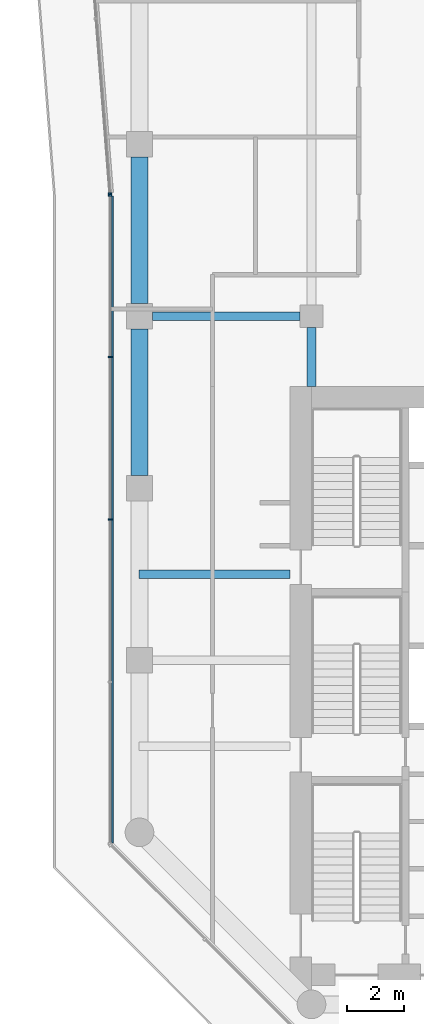
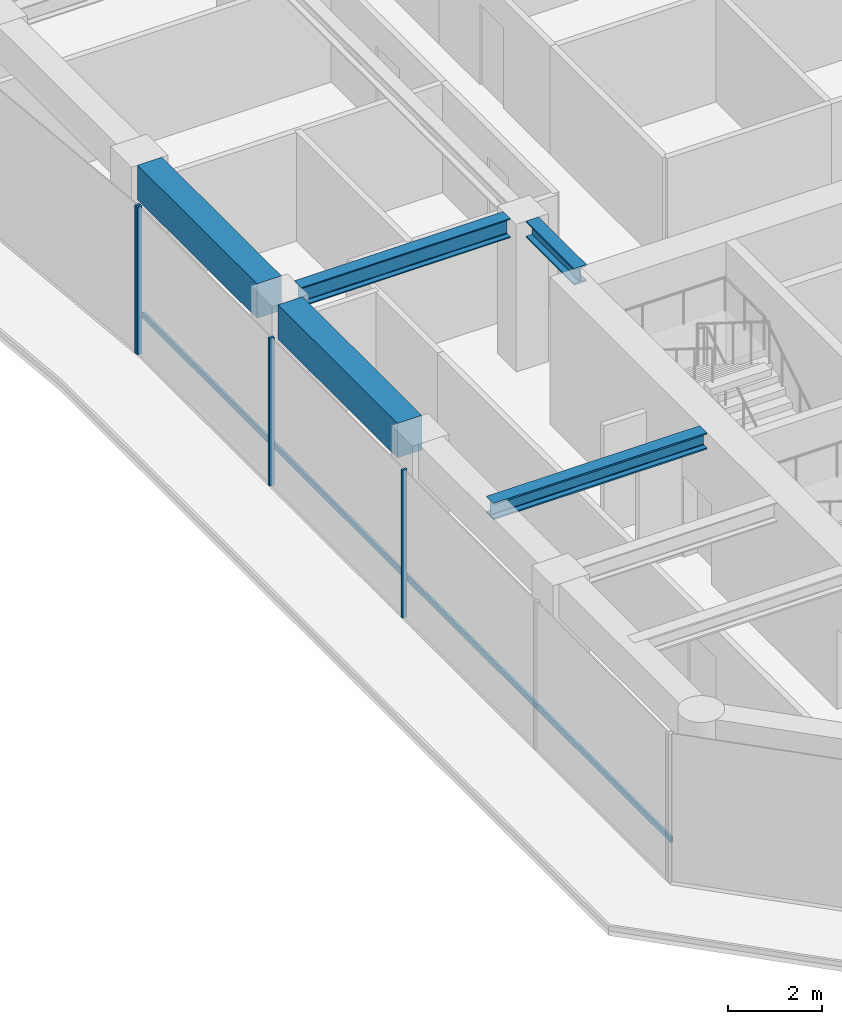
# One storey, part 4 of 25: 5 beams, 5 members, 2 elements without a shape of their own.
"""IFC4 building model written with IfcOpenShell, lengths in metres."""

from ifc_helpers import new_model, si_unit, direction, frame, origin, origin_2d, place, context, subcontext, project, spatial, rectangle, i_section, extrude, material, layer, layer_set, material_profile, profile_set, type_object, element, aggregate, save


model = new_model("IFC4")

# Units and contexts
model_context = context("Model", 3, precision=1e-05, world=origin(), true_north=direction((0.0, 1.0)))
body_context = subcontext(model_context, "Body", "Model", "MODEL_VIEW")
ifc_project = project(units=[si_unit("LENGTHUNIT", "METRE"), si_unit("AREAUNIT", "SQUARE_METRE"), si_unit("VOLUMEUNIT", "CUBIC_METRE"), si_unit("PLANEANGLEUNIT", "RADIAN"), si_unit("MASSUNIT", "GRAM", prefix="KILO")], contexts=[model_context])

# Site, building, storey
site_placement = place(None, origin())
site = spatial("IfcSite", under=ifc_project, at=site_placement, CompositionType="ELEMENT")
building_placement = place(site_placement, origin())
building = spatial("IfcBuilding", under=site, at=building_placement, Name="Welwitschia Terrace Campus", CompositionType="ELEMENT")
storey_placement = place(building_placement, frame((0.0, 0.0, 92.0)))
storey = spatial("IfcBuildingStorey", under=building, at=storey_placement, Name="L20", CompositionType="ELEMENT", Elevation=92.0)

# Beams
ifc_material_1 = material(Name="Steel S355", Category="steel")
ifc_material_profile_1 = material_profile(ifc_material_1, i_section(OverallWidth=0.306884765625, OverallDepth=0.431884765625, WebThickness=0.02099609375, FlangeThickness=0.0400390625, FilletRadius=0.027099609375, at=origin_2d()))
ifc_profile_set_1 = profile_set([ifc_material_profile_1], Name="Steel S355")
beam_type_1 = type_object("IfcBeamType", Name="Interior girder HE 400 M", PredefinedType="BEAM", material=ifc_profile_set_1)
beam_1_placement = place(storey_placement, frame((-0.010009765625, 19.0, 3.634033203125), z_axis=(1.0, 0.0, 0.0), x_axis=(0.0, 1.0, 0.0)))
element("IfcBeam", 1, at=beam_1_placement, inside=storey, type_object=beam_type_1, Name="Girder GB3", PredefinedType="BEAM", context=body_context, shape_type="SweptSolid", body=[
    extrude(i_section(OverallWidth=0.306884765625, OverallDepth=0.431884765625, WebThickness=0.02099609375, FlangeThickness=0.0400390625, FilletRadius=0.027099609375, at=origin_2d()), origin(), (0.0, 0.0, 1.0), 5.259033203125),
])
beam_2_placement = place(storey_placement, frame((6.0, 25.551025390625, 3.634033203125), z_axis=(0.0, 1.0, 0.0), x_axis=(-1.0, 0.0, 0.0)))
element("IfcBeam", 2, at=beam_2_placement, inside=storey, type_object=beam_type_1, Name="Girder GB3", PredefinedType="BEAM", context=body_context, shape_type="SweptSolid", body=[
    extrude(i_section(OverallWidth=0.306884765625, OverallDepth=0.431884765625, WebThickness=0.02099609375, FlangeThickness=0.0400390625, FilletRadius=0.027099609375, at=origin_2d()), origin(), (0.0, 0.0, 1.0), 2.048583984375),
])

# Curtain wall, member
ifc_material_2 = material(Name="Bronze anodised aluminium", Category="aluminium")
ifc_layer = layer(ifc_material_2, 0.1201171875)
ifc_layer_set = layer_set([ifc_layer], Name="Bronze anodised aluminium")
curtain_wall_type = type_object("IfcCurtainWallType", Name="Curtain wall CW2 tower 6000", PredefinedType="NOTDEFINED", material=ifc_layer_set)
curtain_wall_1_placement = place(storey_placement, origin())
curtain_wall_1 = element("IfcCurtainWall", 3, at=curtain_wall_1_placement, inside=storey, type_object=curtain_wall_type, Name="CW L20.0.0", PredefinedType="NOTDEFINED")
ifc_material_3 = material(Name="Bronze anodised aluminium", Category="aluminium")
ifc_material_profile_2 = material_profile(ifc_material_3, rectangle(XDim=0.1201171875, YDim=0.06005859375, at=origin_2d()))
ifc_profile_set_2 = profile_set([ifc_material_profile_2], Name="Bronze anodised aluminium")
member_type_1 = type_object("IfcMemberType", Name="Mullion 60x120", PredefinedType="MULLION", material=ifc_profile_set_2)
member_1_placement = place(storey_placement, frame((-1.032470703125, 32.278564453125, 0.0), z_axis=(0.0, 0.0, 1.0), x_axis=(0.996917333733, 0.078459095728, 0.0)))
member_1 = element("IfcMember", 4, at=member_1_placement, type_object=member_type_1, Name="Mullion L20.0.0.6", PredefinedType="MULLION", context=body_context, shape_type="SweptSolid", body=[
    extrude(rectangle(XDim=0.1201171875, YDim=0.06005859375, at=origin_2d()), origin(), (0.0, 0.0, 1.0), 3.85009765625),
])
aggregate(curtain_wall_1, [member_1])

# Curtain wall, members
curtain_wall_2_placement = place(storey_placement, origin())
curtain_wall_2 = element("IfcCurtainWall", 5, at=curtain_wall_2_placement, inside=storey, type_object=curtain_wall_type, Name="CW L20.1.0", PredefinedType="NOTDEFINED")
member_2_placement = place(storey_placement, frame((-1.030029296875, 32.21875, 0.0), z_axis=(0.0, 0.0, 1.0), x_axis=(1.0, 0.0, 0.0)))
member_2 = element("IfcMember", 6, at=member_2_placement, type_object=member_type_1, Name="Mullion L20.1.0.0", PredefinedType="MULLION", context=body_context, shape_type="SweptSolid", body=[
    extrude(rectangle(XDim=0.1201171875, YDim=0.06005859375, at=origin_2d()), origin(), (0.0, 0.0, 1.0), 3.85009765625),
])
member_3_placement = place(storey_placement, frame((-1.030029296875, 26.579833984375, 0.0), z_axis=(0.0, 0.0, 1.0), x_axis=(1.0, 0.0, 0.0)))
member_3 = element("IfcMember", 7, at=member_3_placement, type_object=member_type_1, Name="Mullion L20.1.0.1", PredefinedType="MULLION", context=body_context, shape_type="SweptSolid", body=[
    extrude(rectangle(XDim=0.1201171875, YDim=0.06005859375, at=origin_2d()), origin(), (0.0, 0.0, 1.0), 3.85009765625),
])
member_4_placement = place(storey_placement, frame((-1.030029296875, 20.9111328125, 0.0), z_axis=(0.0, 0.0, 1.0), x_axis=(1.0, 0.0, 0.0)))
member_4 = element("IfcMember", 8, at=member_4_placement, type_object=member_type_1, Name="Mullion L20.1.0.2", PredefinedType="MULLION", context=body_context, shape_type="SweptSolid", body=[
    extrude(rectangle(XDim=0.1201171875, YDim=0.06005859375, at=origin_2d()), origin(), (0.0, 0.0, 1.0), 3.85009765625),
])

# Beams
ifc_material_4 = material(Name="Steel S355", Category="steel")
ifc_material_profile_3 = material_profile(ifc_material_4, i_section(OverallWidth=0.300048828125, OverallDepth=0.5, WebThickness=0.014404296875, FlangeThickness=0.028076171875, FilletRadius=0.027099609375, at=origin_2d()))
ifc_profile_set_3 = profile_set([ifc_material_profile_3], Name="Steel S355")
beam_type_2 = type_object("IfcBeamType", Name="Primary beam HE 500 B", PredefinedType="BEAM", material=ifc_profile_set_3)
beam_3_placement = place(storey_placement, frame((0.450439453125, 28.0, 3.60009765625), z_axis=(1.0, 0.0, 0.0), x_axis=(0.0, 1.0, 0.0)))
element("IfcBeam", 9, at=beam_3_placement, inside=storey, type_object=beam_type_2, Name="Primary beam PB3", PredefinedType="BEAM", context=body_context, shape_type="SweptSolid", body=[
    extrude(i_section(OverallWidth=0.300048828125, OverallDepth=0.5, WebThickness=0.014404296875, FlangeThickness=0.028076171875, FilletRadius=0.027099609375, at=origin_2d()), origin(), (0.0, 0.0, 1.0), 5.149169921875),
])
ifc_material_5 = material(Name="Concrete C60/75", Category="concrete")
ifc_material_profile_4 = material_profile(ifc_material_5, rectangle(XDim=0.60009765625, YDim=0.89990234375, at=origin_2d()))
ifc_profile_set_4 = profile_set([ifc_material_profile_4], Name="Concrete C60/75")
beam_type_3 = type_object("IfcBeamType", Name="Ring spandrel 600x900", PredefinedType="SPANDREL", material=ifc_profile_set_4)
for number, where, z_axis, x_axis, name in (
    (10, (0.0, 33.549560546875, 3.39990234375), (0.0, -1.0, 0.0), (1.0, 0.0, 0.0), "Spandrel SP2"),
    (11, (0.0, 27.549560546875, 3.39990234375), (0.0, -1.0, 0.0), (1.0, 0.0, 0.0), "Spandrel SP2"),
):
    element("IfcBeam", number, at=place(storey_placement, frame(where, z_axis=z_axis, x_axis=x_axis)), inside=storey, type_object=beam_type_3, Name=name, PredefinedType="SPANDREL", context=body_context, shape_type="SweptSolid", body=[
        extrude(rectangle(XDim=0.60009765625, YDim=0.89990234375, at=origin_2d()), origin(), (0.0, 0.0, 1.0), 5.09912109375),
    ])

# Member
ifc_material_6 = material(Name="Bronze anodised aluminium", Category="aluminium")
ifc_material_profile_5 = material_profile(ifc_material_6, rectangle(XDim=0.06005859375, YDim=0.14990234375, at=origin_2d()))
ifc_profile_set_5 = profile_set([ifc_material_profile_5], Name="Bronze anodised aluminium")
member_type_2 = type_object("IfcMemberType", Name="Transom 60x150", PredefinedType="USERDEFINED", material=ifc_profile_set_5)
member_5_placement = place(storey_placement, frame((-0.93994140625, 32.188720703125, 1.0), z_axis=(0.0, -1.0, 0.0), x_axis=(1.0, 0.0, 0.0)))
member_5 = element("IfcMember", 12, at=member_5_placement, type_object=member_type_2, Name="Transom L20.1.0", ObjectType="TRANSOM", PredefinedType="USERDEFINED", context=body_context, shape_type="SweptSolid", body=[
    extrude(rectangle(XDim=0.06005859375, YDim=0.14990234375, at=origin_2d()), origin(), (0.0, 0.0, 1.0), 22.555419921875),
])

aggregate(curtain_wall_2, [member_2, member_3, member_4, member_5])

save(model, "model.ifc")
